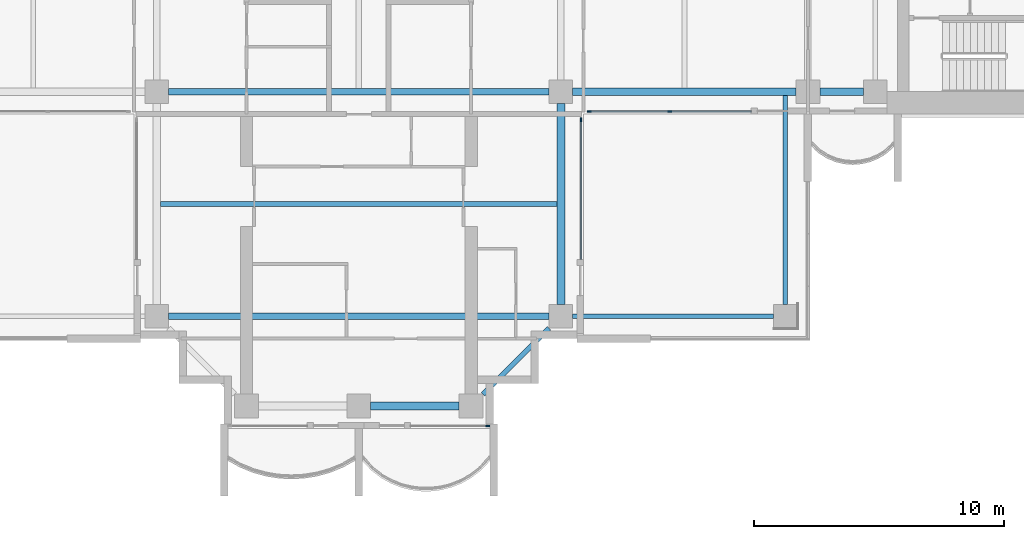
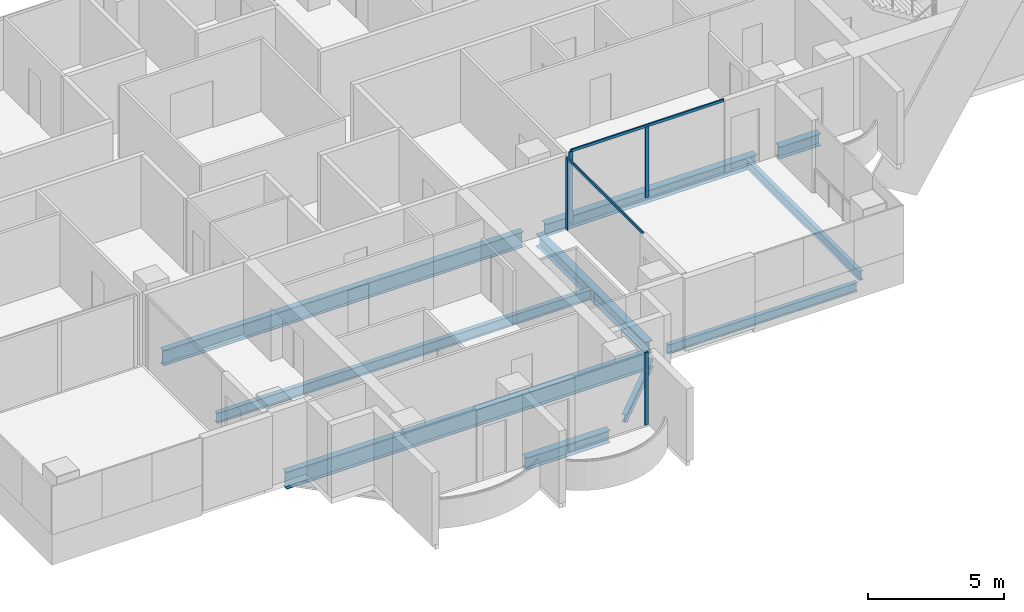
# One storey, part 3 of 17: 10 beams, 6 members, 3 elements without a shape of their own.
"""IFC4 building model written with IfcOpenShell, lengths in metres."""

from ifc_helpers import new_model, si_unit, direction, frame, origin, origin_2d, place, context, subcontext, project, spatial, rectangle, i_section, extrude, material, material_profile, profile_set, type_object, element, aggregate, save


model = new_model("IFC4")

# Units and contexts
model_context = context("Model", 3, precision=1e-05, world=origin(), true_north=direction((0.0, 1.0)))
body_context = subcontext(model_context, "Body", "Model", "MODEL_VIEW")
ifc_project = project(units=[si_unit("LENGTHUNIT", "METRE"), si_unit("AREAUNIT", "SQUARE_METRE"), si_unit("VOLUMEUNIT", "CUBIC_METRE"), si_unit("PLANEANGLEUNIT", "RADIAN"), si_unit("MASSUNIT", "GRAM", prefix="KILO")], contexts=[model_context])

# Site, building, storey
site_placement = place(None, origin())
site = spatial("IfcSite", under=ifc_project, at=site_placement, CompositionType="ELEMENT")
building_placement = place(site_placement, origin())
building = spatial("IfcBuilding", under=site, at=building_placement, Name="Perihelion Cross Residences", CompositionType="ELEMENT")
storey_placement = place(building_placement, frame((0.0, 0.0, 198.10009765625)))
storey = spatial("IfcBuildingStorey", under=building, at=storey_placement, Name="L49", CompositionType="ELEMENT", Elevation=198.10009765625)

# Curtain wall, member
ifc_material_1 = material(Name="Bronze anodised aluminium, tinted glazing", Category="aluminium")
curtain_wall_type = type_object("IfcCurtainWallType", Name="CW1", PredefinedType="NOTDEFINED", material=ifc_material_1)
curtain_wall_1_placement = place(storey_placement, origin())
curtain_wall_1 = element("IfcCurtainWall", 1, at=curtain_wall_1_placement, inside=storey, type_object=curtain_wall_type, Name="Curtain wall CW1 L49 south tip south bay 2", PredefinedType="NOTDEFINED")
ifc_material_2 = material(Name="Bronze anodised aluminium", Category="aluminium")
ifc_material_profile_1 = material_profile(ifc_material_2, rectangle(XDim=0.06005859375, YDim=0.159912109375, at=origin_2d()), Name="CW1 mullion")
ifc_profile_set_1 = profile_set([ifc_material_profile_1], Name="Bronze anodised aluminium")
member_type_1 = type_object("IfcMemberType", Name="CW1 mullion", PredefinedType="MULLION", material=ifc_profile_set_1)
member_1_placement = place(storey_placement, frame((5.169921875, -21.5, 0.0), z_axis=(0.0, 0.0, 1.0), x_axis=(0.0, 1.0, 0.0)))
member_1 = element("IfcMember", 2, at=member_1_placement, type_object=member_type_1, Name="CW1 mullion 2", PredefinedType="MULLION", context=body_context, shape_type="SweptSolid", body=[
    extrude(rectangle(XDim=0.06005859375, YDim=0.159912109375, at=origin_2d()), origin(), (0.0, 0.0, 1.0), 3.25),
])
aggregate(curtain_wall_1, [member_1])

curtain_wall_2_placement = place(storey_placement, origin())
curtain_wall_2 = element("IfcCurtainWall", 3, at=curtain_wall_2_placement, inside=storey, type_object=curtain_wall_type, Name="Curtain wall CW1 L49 south side east bay 1", PredefinedType="NOTDEFINED")
member_2_placement = place(storey_placement, frame((8.89990234375, -9.22998046875, 0.0), z_axis=(0.0, 0.0, 1.0), x_axis=(-1.0, 0.0, 0.0)))
member_2 = element("IfcMember", 4, at=member_2_placement, type_object=member_type_1, Name="CW1 mullion 2", PredefinedType="MULLION", context=body_context, shape_type="SweptSolid", body=[
    extrude(rectangle(XDim=0.06005859375, YDim=0.159912109375, at=origin_2d()), origin(), (0.0, 0.0, 1.0), 3.18994140625),
])

# Curtain wall, members
curtain_wall_3_placement = place(storey_placement, origin())
curtain_wall_3 = element("IfcCurtainWall", 5, at=curtain_wall_3_placement, inside=storey, type_object=curtain_wall_type, Name="Curtain wall CW1 L49 east side south bay 1", PredefinedType="NOTDEFINED")
member_3_placement = place(storey_placement, frame((9.22998046875, -8.89990234375, 0.0), z_axis=(0.0, 0.0, 1.0), x_axis=(0.0, 1.0, 0.0)))
member_3 = element("IfcMember", 6, at=member_3_placement, type_object=member_type_1, Name="CW1 mullion 1", PredefinedType="MULLION", context=body_context, shape_type="SweptSolid", body=[
    extrude(rectangle(XDim=0.06005859375, YDim=0.159912109375, at=origin_2d()), origin(), (0.0, 0.0, 1.0), 3.18994140625),
])
member_4_placement = place(storey_placement, frame((12.46240234375, -8.89990234375, 0.0), z_axis=(0.0, 0.0, 1.0), x_axis=(0.0, 1.0, 0.0)))
member_4 = element("IfcMember", 7, at=member_4_placement, type_object=member_type_1, Name="CW1 mullion 2", PredefinedType="MULLION", context=body_context, shape_type="SweptSolid", body=[
    extrude(rectangle(XDim=0.06005859375, YDim=0.159912109375, at=origin_2d()), origin(), (0.0, 0.0, 1.0), 3.18994140625),
])

# Member
ifc_material_3 = material(Name="Bronze anodised aluminium", Category="aluminium")
ifc_material_profile_2 = material_profile(ifc_material_3, rectangle(XDim=0.06005859375, YDim=0.1201171875, at=origin_2d()), Name="CW1 transom")
ifc_profile_set_2 = profile_set([ifc_material_profile_2], Name="Bronze anodised aluminium")
member_type_2 = type_object("IfcMemberType", Name="CW1 transom", PredefinedType="USERDEFINED", material=ifc_profile_set_2)
member_5_placement = place(storey_placement, frame((8.89990234375, -14.824951171875, 3.219970703125), z_axis=(0.0, 1.0, 0.0), x_axis=(-1.0, 0.0, 0.0)))
member_5 = element("IfcMember", 8, at=member_5_placement, type_object=member_type_2, Name="CW1 head transom", ObjectType="TRANSOM", PredefinedType="USERDEFINED", context=body_context, shape_type="SweptSolid", body=[
    extrude(rectangle(XDim=0.06005859375, YDim=0.1201171875, at=origin_2d()), origin(), (0.0, 0.0, 1.0), 5.594970703125),
])

aggregate(curtain_wall_2, [member_2, member_5])

member_6_placement = place(storey_placement, frame((9.22998046875, -8.89990234375, 3.219970703125), z_axis=(1.0, 0.0, 0.0), x_axis=(0.0, 1.0, 0.0)))
member_6 = element("IfcMember", 9, at=member_6_placement, type_object=member_type_2, Name="CW1 head transom", ObjectType="TRANSOM", PredefinedType="USERDEFINED", context=body_context, shape_type="SweptSolid", body=[
    extrude(rectangle(XDim=0.06005859375, YDim=0.1201171875, at=origin_2d()), origin(), (0.0, 0.0, 1.0), 6.4951171875),
])

aggregate(curtain_wall_3, [member_3, member_4, member_6])

# Beams
ifc_material_4 = material(Name="Steel S355", Category="steel")
ifc_material_profile_3 = material_profile(ifc_material_4, i_section(OverallWidth=0.177978515625, OverallDepth=0.406005859375, WebThickness=0.0078125, FlangeThickness=0.0126953125, at=origin_2d()), Name="W410x60")
ifc_profile_set_3 = profile_set([ifc_material_profile_3], Name="Steel S355")
beam_type_1 = type_object("IfcBeamType", Name="Core edge beam W410x60", PredefinedType="BEAM", material=ifc_profile_set_3)
beam_1_placement = place(storey_placement, frame((17.10009765625, -8.256103515625, -0.453125), z_axis=(0.0, -1.0, 0.0), x_axis=(1.0, 0.0, 0.0)))
element("IfcBeam", 10, at=beam_1_placement, inside=storey, type_object=beam_type_1, Name="Core edge beam TB2 L49 corner no. 3", PredefinedType="BEAM", context=body_context, shape_type="SweptSolid", body=[
    extrude(i_section(OverallWidth=0.177978515625, OverallDepth=0.406005859375, WebThickness=0.0078125, FlangeThickness=0.0126953125, at=origin_2d()), origin(), (0.0, 0.0, 1.0), 8.368896484375),
])
beam_2_placement = place(storey_placement, frame((8.574951171875, -17.10009765625, -0.453125), z_axis=(1.0, 0.0, 0.0), x_axis=(0.0, 1.0, 0.0)))
element("IfcBeam", 11, at=beam_2_placement, inside=storey, type_object=beam_type_1, Name="Core edge beam TB2 L49 corner no. 4", PredefinedType="BEAM", context=body_context, shape_type="SweptSolid", body=[
    extrude(i_section(OverallWidth=0.177978515625, OverallDepth=0.406005859375, WebThickness=0.0078125, FlangeThickness=0.0126953125, at=origin_2d()), origin(), (0.0, 0.0, 1.0), 8.050048828125),
])
ifc_material_5 = material(Name="Steel S355", Category="steel")
ifc_material_profile_4 = material_profile(ifc_material_5, i_section(OverallWidth=0.31201171875, OverallDepth=0.5439453125, WebThickness=0.0126953125, FlangeThickness=0.020263671875, at=origin_2d()), Name="W530x150")
ifc_profile_set_4 = profile_set([ifc_material_profile_4], Name="Steel S355")
beam_type_2 = type_object("IfcBeamType", Name="Edge beam W530x150", PredefinedType="SPANDREL", material=ifc_profile_set_4)
beam_3_placement = place(storey_placement, frame((0.47509765625, -20.699951171875, -0.522216796875), z_axis=(1.0, 0.0, 0.0), x_axis=(0.0, 1.0, 0.0)))
element("IfcBeam", 12, at=beam_3_placement, inside=storey, type_object=beam_type_2, Name="Edge beam SB4 L49 no. 7", PredefinedType="SPANDREL", context=body_context, shape_type="SweptSolid", body=[
    extrude(i_section(OverallWidth=0.31201171875, OverallDepth=0.5439453125, WebThickness=0.0126953125, FlangeThickness=0.020263671875, at=origin_2d()), origin(), (0.0, 0.0, 1.0), 3.5498046875),
])
beam_4_placement = place(storey_placement, frame((8.10009765625, -16.625, -0.522216796875), z_axis=(0.0, 1.0, 0.0), x_axis=(-1.0, 0.0, 0.0)))
element("IfcBeam", 13, at=beam_4_placement, inside=storey, type_object=beam_type_2, Name="Edge beam SB4 L49 no. 11", PredefinedType="SPANDREL", context=body_context, shape_type="SweptSolid", body=[
    extrude(i_section(OverallWidth=0.31201171875, OverallDepth=0.5439453125, WebThickness=0.0126953125, FlangeThickness=0.020263671875, at=origin_2d()), origin(), (0.0, 0.0, 1.0), 8.050048828125),
])
beam_5_placement = place(storey_placement, frame((8.574951171875, -8.10009765625, -0.522216796875), z_axis=(1.0, 0.0, 0.0), x_axis=(0.0, 1.0, 0.0)))
element("IfcBeam", 14, at=beam_5_placement, inside=storey, type_object=beam_type_2, Name="Edge beam SB4 L49 no. 12", PredefinedType="SPANDREL", context=body_context, shape_type="SweptSolid", body=[
    extrude(i_section(OverallWidth=0.31201171875, OverallDepth=0.5439453125, WebThickness=0.0126953125, FlangeThickness=0.020263671875, at=origin_2d()), origin(), (0.0, 0.0, 1.0), 8.949951171875),
])
beam_6_placement = place(storey_placement, frame((18.47509765625, -8.10009765625, -0.522216796875), z_axis=(1.0, 0.0, 0.0), x_axis=(0.0, 1.0, 0.0)))
element("IfcBeam", 15, at=beam_6_placement, inside=storey, type_object=beam_type_2, Name="Edge beam SB4 L49 no. 8", PredefinedType="SPANDREL", context=body_context, shape_type="SweptSolid", body=[
    extrude(i_section(OverallWidth=0.31201171875, OverallDepth=0.5439453125, WebThickness=0.0126953125, FlangeThickness=0.020263671875, at=origin_2d()), origin(), (0.0, 0.0, 1.0), 1.75),
])
ifc_material_6 = material(Name="Steel S355", Category="steel")
ifc_material_profile_5 = material_profile(ifc_material_6, i_section(OverallWidth=0.26708984375, OverallDepth=0.77001953125, WebThickness=0.015625, FlangeThickness=0.025390625, at=origin_2d()), Name="W760x196")
ifc_profile_set_5 = profile_set([ifc_material_profile_5], Name="Steel S355")
beam_type_3 = type_object("IfcBeamType", Name="Floor girder W760x196", PredefinedType="BEAM", material=ifc_profile_set_5)
beam_7_placement = place(storey_placement, frame((-7.625, -17.10009765625, -0.635009765625), z_axis=(1.0, 0.0, 0.0), x_axis=(0.0, 1.0, 0.0)))
element("IfcBeam", 16, at=beam_7_placement, inside=storey, type_object=beam_type_3, Name="Girder G4 L49 no. 3", PredefinedType="BEAM", context=body_context, shape_type="SweptSolid", body=[
    extrude(i_section(OverallWidth=0.26708984375, OverallDepth=0.77001953125, WebThickness=0.015625, FlangeThickness=0.025390625, at=origin_2d()), origin(), (0.0, 0.0, 1.0), 15.25),
])
ifc_material_7 = material(Name="Steel S355", Category="steel")
ifc_material_profile_6 = material_profile(ifc_material_7, i_section(OverallWidth=0.19091796875, OverallDepth=0.45703125, WebThickness=0.009033203125, FlangeThickness=0.014404296875, at=origin_2d()), Name="W460x74")
ifc_profile_set_6 = profile_set([ifc_material_profile_6], Name="Steel S355")
beam_type_4 = type_object("IfcBeamType", Name="Floor joist W460x74", PredefinedType="JOIST", material=ifc_profile_set_6)
beam_8_placement = place(storey_placement, frame((-7.944091796875, -12.60009765625, -0.478515625), z_axis=(1.0, 0.0, 0.0), x_axis=(0.0, 1.0, 0.0)))
element("IfcBeam", 17, at=beam_8_placement, inside=storey, type_object=beam_type_4, Name="Joist J5 L49 no. 3", PredefinedType="JOIST", context=body_context, shape_type="SweptSolid", body=[
    extrude(i_section(OverallWidth=0.19091796875, OverallDepth=0.45703125, WebThickness=0.009033203125, FlangeThickness=0.014404296875, at=origin_2d()), origin(), (0.0, 0.0, 1.0), 15.88818359375),
])
ifc_material_8 = material(Name="Steel S355", Category="steel")
ifc_material_profile_7 = material_profile(ifc_material_8, i_section(OverallWidth=0.257080078125, OverallDepth=0.693115234375, WebThickness=0.014404296875, FlangeThickness=0.023681640625, at=origin_2d()), Name="W690x170")
ifc_profile_set_7 = profile_set([ifc_material_profile_7], Name="Steel S355")
beam_type_5 = type_object("IfcBeamType", Name="Hub ring girder W690x170", PredefinedType="BEAM", material=ifc_profile_set_7)
beam_9_placement = place(storey_placement, frame((-7.625, -8.10009765625, -0.5966796875), z_axis=(1.0, 0.0, 0.0), x_axis=(0.0, 1.0, 0.0)))
element("IfcBeam", 18, at=beam_9_placement, inside=storey, type_object=beam_type_5, Name="Hub ring girder RG4 L49 no. 1", PredefinedType="BEAM", context=body_context, shape_type="SweptSolid", body=[
    extrude(i_section(OverallWidth=0.257080078125, OverallDepth=0.693115234375, WebThickness=0.014404296875, FlangeThickness=0.023681640625, at=origin_2d()), origin(), (0.0, 0.0, 1.0), 15.25),
])
ifc_material_9 = material(Name="Steel S355", Category="steel")
ifc_material_profile_8 = material_profile(ifc_material_9, i_section(OverallWidth=0.205078125, OverallDepth=0.35302734375, WebThickness=0.009521484375, FlangeThickness=0.016845703125, at=origin_2d()), Name="W360x79")
ifc_profile_set_8 = profile_set([ifc_material_profile_8], Name="Steel S355")
beam_type_6 = type_object("IfcBeamType", Name="Serration edge beam W360x79", PredefinedType="BEAM", material=ifc_profile_set_8)
beam_10_placement = place(storey_placement, frame((4.97509765625, -20.22509765625, -0.426513671875), z_axis=(0.70707420838, 0.707139352493, 0.0), x_axis=(-0.707139352493, 0.70707420838, 0.0)))
element("IfcBeam", 19, at=beam_10_placement, inside=storey, type_object=beam_type_6, Name="Serration edge beam EB4 L49 no. 2", PredefinedType="BEAM", context=body_context, shape_type="SweptSolid", body=[
    extrude(i_section(OverallWidth=0.205078125, OverallDepth=0.35302734375, WebThickness=0.009521484375, FlangeThickness=0.016845703125, at=origin_2d()), origin(), (0.0, 0.0, 1.0), 3.747802734375),
])

save(model, "model.ifc")
